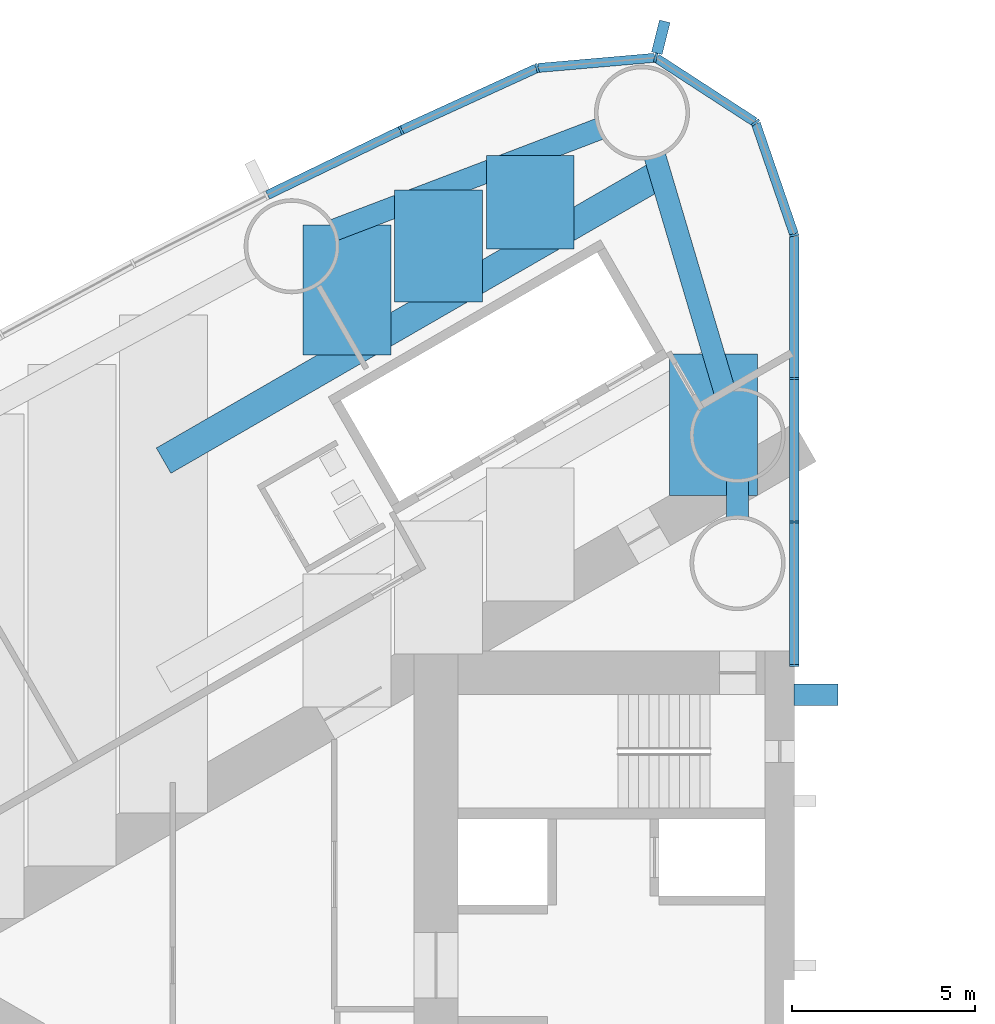
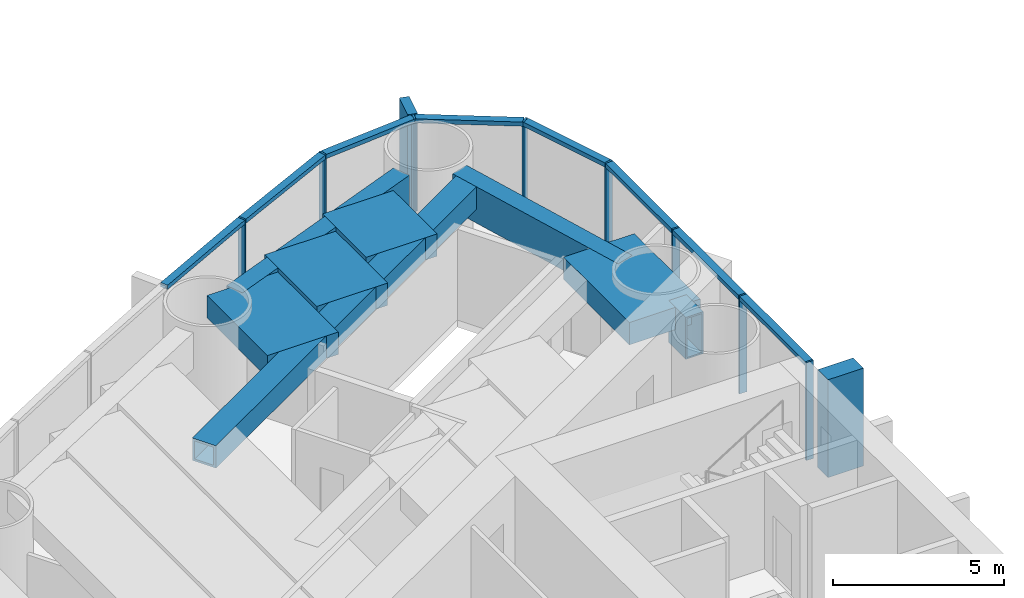
# One storey, part 5 of 18: 18 members, 8 beams, 1 element without a shape of its own.
"""IFC4 building model written with IfcOpenShell, lengths in metres."""

import ifcopenshell
import ifcopenshell.guid

model = None  # the IFC model being written
_history = None  # IfcOwnerHistory: only IFC2X3 demands one
_inside = {}  # id of a spatial element -> (the spatial element, [elements in it])
_under = {}  # id of a project, library or spatial element -> (it, [spatial elements below it])
_declared = {}  # id of a project -> (the project, [libraries it declares])
_typed = {}  # id of a type object -> (the type object, [elements of that type])
_made_of = {}  # id of a material, layer set ... -> (it, [elements and type objects made of it])


def new_model(schema):
    """Start an empty IFC model of exactly this schema.

    Asked for "IFC4X3", IfcOpenShell would pick the latest addendum, in which some entities
    have other attributes; the version numbers below select the first issue.
    IFC2X3 requires an IfcOwnerHistory on every rooted entity: one is made here for all.
    """
    global model, _history
    if schema == "IFC4X3":
        model = ifcopenshell.file(schema_version=(4, 3, 0, 0))
    else:
        model = ifcopenshell.file(schema=schema)
    _inside.clear()
    _under.clear()
    _declared.clear()
    _typed.clear()
    _made_of.clear()
    _history = None
    if model.schema == "IFC2X3":
        org = make("IfcOrganization", Name="unknown")
        user = make(
            "IfcPersonAndOrganization",
            ThePerson=make("IfcPerson", FamilyName="unknown"),
            TheOrganization=org,
        )
        app = make(
            "IfcApplication",
            ApplicationDeveloper=org,
            Version="unknown",
            ApplicationFullName="unknown",
            ApplicationIdentifier="unknown",
        )
        _history = make(
            "IfcOwnerHistory",
            OwningUser=user,
            OwningApplication=app,
            ChangeAction="ADDED",
            CreationDate=0,
        )
    return model


def make(cls, **values):
    """One entity of the class cls with the attributes given. An attribute that is None is left unset."""
    return model.create_entity(
        cls, **{name: value for name, value in values.items() if value is not None}
    )


def rooted(cls, **values):
    """An entity with a GlobalId (a new one), such as an element, a storey or a relation."""
    return make(cls, GlobalId=ifcopenshell.guid.new(), OwnerHistory=_history, **values)


def si_unit(unit_type, name, prefix=None):
    """IfcSIUnit, for example si_unit("LENGTHUNIT", "METRE", prefix="MILLI")."""
    return make("IfcSIUnit", UnitType=unit_type, Prefix=prefix, Name=name)


def assignment(units):
    """IfcUnitAssignment: the units of a project."""
    return None if units is None else make("IfcUnitAssignment", Units=units)


def point(xyz):
    """IfcCartesianPoint."""
    return None if xyz is None else make("IfcCartesianPoint", Coordinates=xyz)


def direction(xyz):
    """IfcDirection."""
    return None if xyz is None else make("IfcDirection", DirectionRatios=xyz)


def frame(location, z_axis=None, x_axis=None):
    """IfcAxis2Placement3D, a coordinate frame: its origin and axes. An axis left out is left unset."""
    return make(
        "IfcAxis2Placement3D",
        Location=point(location),
        Axis=direction(z_axis),
        RefDirection=direction(x_axis),
    )


def frame_2d(location, x_axis=None):
    """IfcAxis2Placement2D, a coordinate frame in the plane: its origin and x axis."""
    return make(
        "IfcAxis2Placement2D", Location=point(location), RefDirection=direction(x_axis)
    )


def origin():
    """The frame at (0, 0, 0) with its axes left unset."""
    return frame((0.0, 0.0, 0.0))


def origin_2d():
    """The frame at (0, 0) in the plane with its x axis left unset."""
    return frame_2d((0.0, 0.0))


def place(relative_to, where):
    """IfcLocalPlacement: puts the frame where relative to a parent placement (None: the world)."""
    return make(
        "IfcLocalPlacement", PlacementRelTo=relative_to, RelativePlacement=where
    )


def context(
    kind, dimensions, precision=None, world=None, true_north=None, identifier=None
):
    """IfcGeometricRepresentationContext, for example the 3D "Model" context."""
    return make(
        "IfcGeometricRepresentationContext",
        ContextIdentifier=identifier,
        ContextType=kind,
        CoordinateSpaceDimension=dimensions,
        Precision=precision,
        WorldCoordinateSystem=world,
        TrueNorth=true_north,
    )


def subcontext(parent, identifier, kind, view, scale=None):
    """IfcGeometricRepresentationSubContext, for example "Body" below "Model"."""
    return make(
        "IfcGeometricRepresentationSubContext",
        ContextIdentifier=identifier,
        ContextType=kind,
        ParentContext=parent,
        TargetScale=scale,
        TargetView=view,
    )


def project(units=None, contexts=None):
    """IfcProject with its units and contexts."""
    return rooted(
        "IfcProject",
        Name="project",
        RepresentationContexts=contexts,
        UnitsInContext=assignment(units),
    )


def spatial(cls, under=None, at=None, **own):
    """A site, building, storey or space (cls), placed at a placement, below another one or the project."""
    s = rooted(cls, ObjectPlacement=at, **own)
    if under is not None:
        _under.setdefault(under.id(), (under, []))[1].append(s)
    return s


def profile(cls, at=None, kind="AREA", **sizes):
    """A parametric profile (cls). Its sizes go by their IFC names, for example OverallWidth=200.0."""
    return make(cls, ProfileType=kind, Position=at, **sizes)


def rectangle(**sizes):
    """IfcRectangleProfileDef."""
    return profile("IfcRectangleProfileDef", **sizes)


def hollow_rectangle(**sizes):
    """IfcRectangleHollowProfileDef."""
    return profile("IfcRectangleHollowProfileDef", **sizes)


def extrude(swept, where, along, depth):
    """IfcExtrudedAreaSolid: the profile swept, set in the frame where, extruded along a direction by depth."""
    return make(
        "IfcExtrudedAreaSolid",
        SweptArea=swept,
        Position=where,
        ExtrudedDirection=direction(along),
        Depth=depth,
    )


def shape(context_of_items, identifier, shape_type, items):
    """IfcShapeRepresentation: the items that make up one representation, for example the "Body"."""
    return make(
        "IfcShapeRepresentation",
        ContextOfItems=context_of_items,
        RepresentationIdentifier=identifier,
        RepresentationType=shape_type,
        Items=items,
    )


def material(Name=None, Category=None):
    """IfcMaterial."""
    return make("IfcMaterial", Name=Name, Category=Category)


def material_profile(
    of_material, cross_section, Name=None, Category=None, Priority=None
):
    """IfcMaterialProfile: a cross section and its material."""
    return make(
        "IfcMaterialProfile",
        Name=Name,
        Material=of_material,
        Profile=cross_section,
        Priority=Priority,
        Category=Category,
    )


def profile_set(profiles, Name=None, composite=None):
    """IfcMaterialProfileSet."""
    return make(
        "IfcMaterialProfileSet",
        Name=Name,
        MaterialProfiles=profiles,
        CompositeProfile=composite,
    )


def made_of(thing, what):
    """Note that an element or type object is made of a material, layer set ...; save() writes the relation."""
    if what is not None:
        _made_of.setdefault(what.id(), (what, []))[1].append(thing)
    return thing


def type_object(cls, material=None, **own):
    """A type object (cls), such as IfcWallType, which elements share."""
    return made_of(rooted(cls, **own), material)


def element(
    cls,
    number,
    at=None,
    inside=None,
    cuts=None,
    type_object=None,
    material=None,
    context=None,
    identifier="Body",
    shape_type=None,
    held_by="IfcProductDefinitionShape",
    body=None,
    shapes=None,
    **own,
):
    """One element of the class cls, such as IfcWall. Its Tag is "e" and its number.

    at: its placement. inside: the storey or other place that contains it. cuts: it is an
    opening in that element (IfcRelVoidsElement). A single representation is given by context,
    identifier, shape_type and body (its items); several are given by shapes. held_by: the class
    of the entity that holds the representations. save() writes the other relations.
    """
    e = rooted(cls, Tag="e%d" % number, ObjectPlacement=at, **own)
    if body is not None:
        shapes = [shape(context, identifier, shape_type, body)]
    if shapes is not None:
        e.Representation = make(held_by, Representations=shapes)
    if inside is not None:
        _inside.setdefault(inside.id(), (inside, []))[1].append(e)
    if cuts is not None:
        rooted(
            "IfcRelVoidsElement", RelatingBuildingElement=cuts, RelatedOpeningElement=e
        )
    if type_object is not None:
        _typed.setdefault(type_object.id(), (type_object, []))[1].append(e)
    return made_of(e, material)


def aggregate(whole, parts):
    """IfcRelAggregates: a whole, such as a stair, and the parts it consists of."""
    return rooted("IfcRelAggregates", RelatingObject=whole, RelatedObjects=parts)


def save(model, path):
    """Write the relations noted so far, then the file.

    IfcRelAggregates (storeys below a building ...), IfcRelContainedInSpatialStructure (elements
    in a storey), IfcRelDefinesByType, IfcRelAssociatesMaterial and IfcRelDeclares: one each for
    every whole, place, type object, material and project.
    """
    for whole, parts in _under.values():
        aggregate(whole, parts)
    for where, things in _inside.values():
        rooted(
            "IfcRelContainedInSpatialStructure",
            RelatedElements=things,
            RelatingStructure=where,
        )
    for kind, things in _typed.values():
        rooted("IfcRelDefinesByType", RelatedObjects=things, RelatingType=kind)
    for what, things in _made_of.values():
        rooted("IfcRelAssociatesMaterial", RelatedObjects=things, RelatingMaterial=what)
    for by, libraries in _declared.values():
        rooted("IfcRelDeclares", RelatingContext=by, RelatedDefinitions=libraries)
    model.write(path)


model = new_model("IFC4")

# Units and contexts
model_context = context("Model", 3, precision=1e-05, world=origin(), true_north=direction((0.0, 1.0)))
body_context = subcontext(model_context, "Body", "Model", "MODEL_VIEW")
ifc_project = project(units=[si_unit("LENGTHUNIT", "METRE"), si_unit("AREAUNIT", "SQUARE_METRE"), si_unit("VOLUMEUNIT", "CUBIC_METRE"), si_unit("PLANEANGLEUNIT", "RADIAN"), si_unit("MASSUNIT", "GRAM", prefix="KILO")], contexts=[model_context])

# Site, building, storey
site_placement = place(None, origin())
site = spatial("IfcSite", under=ifc_project, at=site_placement, CompositionType="ELEMENT")
building_placement = place(site_placement, origin())
building = spatial("IfcBuilding", under=site, at=building_placement, Name="Lancet Gate Hotel", CompositionType="ELEMENT")
storey_placement = place(building_placement, frame((0.0, 0.0, 139.60009765625)))
storey = spatial("IfcBuildingStorey", under=building, at=storey_placement, Name="L37", CompositionType="ELEMENT", Elevation=139.60009765625)

# Curtain wall, members
ifc_material_1 = material(Name="Aluminium curtain wall", Category="aluminium")
curtain_wall_type = type_object("IfcCurtainWallType", Name="Tower unitised curtain wall", PredefinedType="USERDEFINED", material=ifc_material_1)
curtain_wall_placement = place(storey_placement, origin())
curtain_wall = element("IfcCurtainWall", 1, at=curtain_wall_placement, inside=storey, type_object=curtain_wall_type, Name="T1 L37 curtain wall 1", ObjectType="UNITISED CURTAIN WALL", PredefinedType="USERDEFINED")
ifc_material_2 = material(Name="Aluminium mullion", Category="aluminium")
ifc_material_profile_1 = material_profile(ifc_material_2, rectangle(XDim=0.06494140625, YDim=0.25, at=origin_2d()), Name="MULLION 65x250")
ifc_profile_set_1 = profile_set([ifc_material_profile_1], Name="Aluminium mullion")
member_type_1 = type_object("IfcMemberType", Name="Aluminium mullion 65x250", PredefinedType="MULLION", material=ifc_profile_set_1)
member_1_placement = place(storey_placement, frame((-27.5, 8.199951171875, 0.0), z_axis=(0.0, 0.0, 1.0), x_axis=(0.0, 1.0, 0.0)))
member_1 = element("IfcMember", 2, at=member_1_placement, type_object=member_type_1, Name="T1 L37 curtain wall 1 mullion 1", PredefinedType="MULLION", context=body_context, shape_type="SweptSolid", body=[
    extrude(rectangle(XDim=0.06494140625, YDim=0.25, at=origin_2d()), origin(), (0.0, 0.0, 1.0), 3.5),
])
member_2_placement = place(storey_placement, frame((-27.5, 12.123779296875, 0.0), z_axis=(0.0, 0.0, 1.0), x_axis=(0.0, 1.0, 0.0)))
member_2 = element("IfcMember", 3, at=member_2_placement, type_object=member_type_1, Name="T1 L37 curtain wall 1 mullion 2", PredefinedType="MULLION", context=body_context, shape_type="SweptSolid", body=[
    extrude(rectangle(XDim=0.06494140625, YDim=0.25, at=origin_2d()), origin(), (0.0, 0.0, 1.0), 3.5),
])
member_3_placement = place(storey_placement, frame((-27.5, 16.04736328125, 0.0), z_axis=(0.0, 0.0, 1.0), x_axis=(0.0, 1.0, 0.0)))
member_3 = element("IfcMember", 4, at=member_3_placement, type_object=member_type_1, Name="T1 L37 curtain wall 1 mullion 3", PredefinedType="MULLION", context=body_context, shape_type="SweptSolid", body=[
    extrude(rectangle(XDim=0.06494140625, YDim=0.25, at=origin_2d()), origin(), (0.0, 0.0, 1.0), 3.5),
])
member_4_placement = place(storey_placement, frame((-27.5, 19.97119140625, 0.0), z_axis=(0.0, 0.0, 1.0), x_axis=(-0.149634446211, 0.988741388082, 0.0)))
member_4 = element("IfcMember", 5, at=member_4_placement, type_object=member_type_1, Name="T1 L37 curtain wall 1 mullion 4", PredefinedType="MULLION", context=body_context, shape_type="SweptSolid", body=[
    extrude(rectangle(XDim=0.06494140625, YDim=0.25, at=origin_2d()), origin(), (0.0, 0.0, 1.0), 3.5),
])
member_5_placement = place(storey_placement, frame((-28.5595703125, 23.049072265625, 0.0), z_axis=(0.0, 0.0, 1.0), x_axis=(-0.615574240878, 0.788078900851, 0.0)))
member_5 = element("IfcMember", 6, at=member_5_placement, type_object=member_type_1, Name="T1 L37 curtain wall 1 mullion 5", PredefinedType="MULLION", context=body_context, shape_type="SweptSolid", body=[
    extrude(rectangle(XDim=0.06494140625, YDim=0.25, at=origin_2d()), origin(), (0.0, 0.0, 1.0), 3.5),
])
member_6_placement = place(storey_placement, frame((-31.289306640625, 24.822265625, 0.0), z_axis=(0.0, 0.0, 1.0), x_axis=(-0.970242142288, 0.242136707934, 0.0)))
member_6 = element("IfcMember", 7, at=member_6_placement, type_object=member_type_1, Name="T1 L37 curtain wall 1 mullion 6", PredefinedType="MULLION", context=body_context, shape_type="SweptSolid", body=[
    extrude(rectangle(XDim=0.06494140625, YDim=0.25, at=origin_2d()), origin(), (0.0, 0.0, 1.0), 3.5),
])
member_7_placement = place(storey_placement, frame((-34.5322265625, 24.53955078125, 0.0), z_axis=(0.0, 0.0, 1.0), x_axis=(-0.961653318232, -0.27426792655, 0.0)))
member_7 = element("IfcMember", 8, at=member_7_placement, type_object=member_type_1, Name="T1 L37 curtain wall 1 mullion 7", PredefinedType="MULLION", context=body_context, shape_type="SweptSolid", body=[
    extrude(rectangle(XDim=0.06494140625, YDim=0.25, at=origin_2d()), origin(), (0.0, 0.0, 1.0), 3.5),
])
member_8_placement = place(storey_placement, frame((-38.25244140625, 22.83642578125, 0.0), z_axis=(0.0, 0.0, 1.0), x_axis=(-0.904719609771, -0.426007544178, 0.0)))
member_8 = element("IfcMember", 9, at=member_8_placement, type_object=member_type_1, Name="T1 L37 curtain wall 1 mullion 8", PredefinedType="MULLION", context=body_context, shape_type="SweptSolid", body=[
    extrude(rectangle(XDim=0.06494140625, YDim=0.25, at=origin_2d()), origin(), (0.0, 0.0, 1.0), 3.5),
])
ifc_material_3 = material(Name="Aluminium transom", Category="aluminium")
ifc_material_profile_2 = material_profile(ifc_material_3, rectangle(XDim=0.25, YDim=0.14990234375, at=origin_2d()), Name="TRANSOM 250x150")
ifc_profile_set_2 = profile_set([ifc_material_profile_2], Name="Aluminium transom")
member_type_2 = type_object("IfcMemberType", Name="Aluminium transom 250x150", PredefinedType="USERDEFINED", material=ifc_profile_set_2)
member_9_placement = place(storey_placement, frame((-27.5, 8.232421875, 3.4248046875), z_axis=(0.0, 1.0, 0.0), x_axis=(-1.0, 0.0, 0.0)))
member_9 = element("IfcMember", 10, at=member_9_placement, type_object=member_type_2, Name="T1 L37 curtain wall 1 transom 1", ObjectType="TRANSOM", PredefinedType="USERDEFINED", context=body_context, shape_type="SweptSolid", body=[
    extrude(rectangle(XDim=0.25, YDim=0.14990234375, at=origin_2d()), origin(), (0.0, 0.0, 1.0), 3.85888671875),
])
member_10_placement = place(storey_placement, frame((-27.5, 12.15625, 3.4248046875), z_axis=(0.0, 1.0, 0.0), x_axis=(-1.0, 0.0, 0.0)))
member_10 = element("IfcMember", 11, at=member_10_placement, type_object=member_type_2, Name="T1 L37 curtain wall 1 transom 2", ObjectType="TRANSOM", PredefinedType="USERDEFINED", context=body_context, shape_type="SweptSolid", body=[
    extrude(rectangle(XDim=0.25, YDim=0.14990234375, at=origin_2d()), origin(), (0.0, 0.0, 1.0), 3.858642578125),
])
member_11_placement = place(storey_placement, frame((-27.5, 16.079833984375, 3.4248046875), z_axis=(0.0, 1.0, 0.0), x_axis=(-1.0, 0.0, 0.0)))
member_11 = element("IfcMember", 12, at=member_11_placement, type_object=member_type_2, Name="T1 L37 curtain wall 1 transom 3", ObjectType="TRANSOM", PredefinedType="USERDEFINED", context=body_context, shape_type="SweptSolid", body=[
    extrude(rectangle(XDim=0.25, YDim=0.14990234375, at=origin_2d()), origin(), (0.0, 0.0, 1.0), 3.858642578125),
])
member_12_placement = place(storey_placement, frame((-27.510498046875, 20.001708984375, 3.4248046875), z_axis=(-0.32553312754, 0.945530635609, 0.0), x_axis=(-0.945530635609, -0.32553312754, 0.0)))
member_12 = element("IfcMember", 13, at=member_12_placement, type_object=member_type_2, Name="T1 L37 curtain wall 1 transom 4", ObjectType="TRANSOM", PredefinedType="USERDEFINED", context=body_context, shape_type="SweptSolid", body=[
    extrude(rectangle(XDim=0.25, YDim=0.14990234375, at=origin_2d()), origin(), (0.0, 0.0, 1.0), 3.1904296875),
])
member_13_placement = place(storey_placement, frame((-28.5869140625, 23.066650390625, 3.4248046875), z_axis=(-0.838550259452, 0.544824249068, 0.0), x_axis=(-0.544824249068, -0.838550259452, 0.0)))
member_13 = element("IfcMember", 14, at=member_13_placement, type_object=member_type_2, Name="T1 L37 curtain wall 1 transom 5", ObjectType="TRANSOM", PredefinedType="USERDEFINED", context=body_context, shape_type="SweptSolid", body=[
    extrude(rectangle(XDim=0.25, YDim=0.14990234375, at=origin_2d()), origin(), (0.0, 0.0, 1.0), 3.190185546875),
])
member_14_placement = place(storey_placement, frame((-31.32177734375, 24.819580078125, 3.4248046875), z_axis=(-0.996213545522, -0.086940046686, 0.0), x_axis=(0.086940046686, -0.996213545522, 0.0)))
member_14 = element("IfcMember", 15, at=member_14_placement, type_object=member_type_2, Name="T1 L37 curtain wall 1 transom 6", ObjectType="TRANSOM", PredefinedType="USERDEFINED", context=body_context, shape_type="SweptSolid", body=[
    extrude(rectangle(XDim=0.25, YDim=0.14990234375, at=origin_2d()), origin(), (0.0, 0.0, 1.0), 3.18994140625),
])
member_15_placement = place(storey_placement, frame((-34.561767578125, 24.52587890625, 3.4248046875), z_axis=(-0.909252284196, -0.416245460857, 0.0), x_axis=(0.416245460857, -0.909252284196, 0.0)))
member_15 = element("IfcMember", 16, at=member_15_placement, type_object=member_type_2, Name="T1 L37 curtain wall 1 transom 7", ObjectType="TRANSOM", PredefinedType="USERDEFINED", context=body_context, shape_type="SweptSolid", body=[
    extrude(rectangle(XDim=0.25, YDim=0.14990234375, at=origin_2d()), origin(), (0.0, 0.0, 1.0), 4.026611328125),
])
member_16_placement = place(storey_placement, frame((-38.28173828125, 22.822265625, 3.4248046875), z_axis=(-0.900065677074, -0.435754262117, 0.0), x_axis=(0.435754262117, -0.900065677074, 0.0)))
member_16 = element("IfcMember", 17, at=member_16_placement, type_object=member_type_2, Name="T1 L37 curtain wall 1 transom 8", ObjectType="TRANSOM", PredefinedType="USERDEFINED", context=body_context, shape_type="SweptSolid", body=[
    extrude(rectangle(XDim=0.25, YDim=0.14990234375, at=origin_2d()), origin(), (0.0, 0.0, 1.0), 4.026611328125),
])

# Beams
ifc_material_4 = material(Name="Steel S460QL", Category="steel")
ifc_material_profile_3 = material_profile(ifc_material_4, hollow_rectangle(XDim=0.60009765625, YDim=1.300048828125, WallThickness=0.050048828125, at=origin_2d()), Name="BOX 1300x600x50")
ifc_profile_set_3 = profile_set([ifc_material_profile_3], Name="Steel S460QL")
beam_type_1 = type_object("IfcBeamType", Name="Edge beam BOX 1300x600x50", PredefinedType="SPANDREL", material=ifc_profile_set_3)
beam_1_placement = place(storey_placement, frame((-32.83251953125, 22.873046875, 2.599853515625), z_axis=(-0.934393420169, -0.356242805324, 0.0), x_axis=(0.356242805324, -0.934393420169, 0.0)))
element("IfcBeam", 18, at=beam_1_placement, inside=storey, type_object=beam_type_1, Name="T1 edge beam EB2 L37", PredefinedType="SPANDREL", context=body_context, shape_type="SweptSolid", body=[
    extrude(hollow_rectangle(XDim=0.60009765625, YDim=1.300048828125, WallThickness=0.050048828125, at=origin_2d()), origin(), (0.0, 0.0, 1.0), 7.7529296875),
])
beam_2_placement = place(storey_placement, frame((-31.309326171875, 22.119873046875, 2.599853515625), z_axis=(0.284283174747, -0.958740359303, 0.0), x_axis=(0.958740359303, 0.284283174747, 0.0)))
element("IfcBeam", 19, at=beam_2_placement, inside=storey, type_object=beam_type_1, Name="T1 edge beam EB2 L37", PredefinedType="SPANDREL", context=body_context, shape_type="SweptSolid", body=[
    extrude(hollow_rectangle(XDim=0.60009765625, YDim=1.300048828125, WallThickness=0.050048828125, at=origin_2d()), origin(), (0.0, 0.0, 1.0), 6.69775390625),
])

# Member
ifc_material_5 = material(Name="Concrete C60/75", Category="concrete")
ifc_material_profile_4 = material_profile(ifc_material_5, rectangle(XDim=0.60009765625, YDim=1.199951171875, at=origin_2d()), Name="FIN 600x1200")
ifc_profile_set_4 = profile_set([ifc_material_profile_4], Name="Concrete C60/75")
member_type_3 = type_object("IfcMemberType", Name="Exposed concrete buttress pilaster 600x1200", PredefinedType="USERDEFINED", material=ifc_profile_set_4)
member_17_placement = place(storey_placement, frame((-26.909912109375, 7.39990234375, 0.0), z_axis=(0.0, 0.0, 1.0), x_axis=(0.0, 1.0, 0.0)))
element("IfcMember", 20, at=member_17_placement, inside=storey, type_object=member_type_3, Name="T1 buttress pilaster S L37", ObjectType="FIN", PredefinedType="USERDEFINED", context=body_context, shape_type="SweptSolid", body=[
    extrude(rectangle(XDim=0.60009765625, YDim=1.199951171875, at=origin_2d()), origin(), (0.0, 0.0, 1.0), 3.5),
])

ifc_material_6 = material(Name="Precast concrete C50/60", Category="concrete")
ifc_material_profile_5 = material_profile(ifc_material_6, rectangle(XDim=0.300048828125, YDim=0.89990234375, at=origin_2d()), Name="FIN 300x900")
ifc_profile_set_5 = profile_set([ifc_material_profile_5], Name="Precast concrete C50/60")
member_type_4 = type_object("IfcMemberType", Name="Exposed concrete fin 300x900", PredefinedType="USERDEFINED", material=ifc_profile_set_5)
member_18_placement = place(storey_placement, frame((-31.150146484375, 25.380126953125, 0.0), z_axis=(0.0, 0.0, 1.0), x_axis=(-0.970242142288, 0.242136707934, 0.0)))
member_18 = element("IfcMember", 21, at=member_18_placement, type_object=member_type_4, Name="T1 L37 curtain wall 1 fin 6", ObjectType="FIN", PredefinedType="USERDEFINED", context=body_context, shape_type="SweptSolid", body=[
    extrude(rectangle(XDim=0.300048828125, YDim=0.89990234375, at=origin_2d()), origin(), (0.0, 0.0, 1.0), 3.5),
])

aggregate(curtain_wall, [member_1, member_2, member_3, member_4, member_5, member_6, member_18, member_7, member_8, member_9, member_10, member_11, member_12, member_13, member_14, member_15, member_16])

# Beams
ifc_material_7 = material(Name="Concrete C50/60", Category="concrete")
ifc_material_profile_6 = material_profile(ifc_material_7, rectangle(XDim=2.39990234375, YDim=0.800048828125, at=origin_2d()), Name="RC 2400x800")
ifc_profile_set_6 = profile_set([ifc_material_profile_6], Name="Concrete C50/60")
beam_type_2 = type_object("IfcBeamType", Name="Floor beam RC 2400x800", PredefinedType="BEAM", material=ifc_profile_set_6)
beam_3_placement = place(storey_placement, frame((-29.706787109375, 16.71533203125, 2.849853515625), z_axis=(0.0, -1.0, 0.0), x_axis=(1.0, 0.0, 0.0)))
element("IfcBeam", 22, at=beam_3_placement, inside=storey, type_object=beam_type_2, Name="T1 floor beam F02S L37", PredefinedType="BEAM", context=body_context, shape_type="SweptSolid", body=[
    extrude(rectangle(XDim=2.39990234375, YDim=0.800048828125, at=origin_2d()), origin(), (0.0, 0.0, 1.0), 3.86279296875),
])
beam_4_placement = place(storey_placement, frame((-34.720458984375, 22.1533203125, 2.849853515625), z_axis=(0.0, -1.0, 0.0), x_axis=(1.0, 0.0, 0.0)))
element("IfcBeam", 23, at=beam_4_placement, inside=storey, type_object=beam_type_2, Name="T1 floor beam F04SA L37", PredefinedType="BEAM", context=body_context, shape_type="SweptSolid", body=[
    extrude(rectangle(XDim=2.39990234375, YDim=0.800048828125, at=origin_2d()), origin(), (0.0, 0.0, 1.0), 2.561767578125),
])
beam_5_placement = place(storey_placement, frame((-37.227294921875, 21.197509765625, 2.849853515625), z_axis=(0.0, -1.0, 0.0), x_axis=(1.0, 0.0, 0.0)))
element("IfcBeam", 24, at=beam_5_placement, inside=storey, type_object=beam_type_2, Name="T1 floor beam F05SA L37", PredefinedType="BEAM", context=body_context, shape_type="SweptSolid", body=[
    extrude(rectangle(XDim=2.39990234375, YDim=0.800048828125, at=origin_2d()), origin(), (0.0, 0.0, 1.0), 3.053466796875),
])
beam_6_placement = place(storey_placement, frame((-39.734130859375, 20.24169921875, 2.849853515625), z_axis=(0.0, -1.0, 0.0), x_axis=(1.0, 0.0, 0.0)))
element("IfcBeam", 25, at=beam_6_placement, inside=storey, type_object=beam_type_2, Name="T1 floor beam F07SA L37", PredefinedType="BEAM", context=body_context, shape_type="SweptSolid", body=[
    extrude(rectangle(XDim=2.39990234375, YDim=0.800048828125, at=origin_2d()), origin(), (0.0, 0.0, 1.0), 3.545166015625),
])
ifc_material_8 = material(Name="Steel S460QL", Category="steel")
ifc_material_profile_7 = material_profile(ifc_material_8, hollow_rectangle(XDim=0.60009765625, YDim=1.5, WallThickness=0.050048828125, at=origin_2d()), Name="BOX 1500x600x50")
ifc_profile_set_7 = profile_set([ifc_material_profile_7], Name="Steel S460QL")
beam_type_3 = type_object("IfcBeamType", Name="Inner-face link beam BOX 1500x600x50", PredefinedType="BEAM", material=ifc_profile_set_7)
beam_7_placement = place(storey_placement, frame((-29.050048828125, 13.25, 2.5), z_axis=(0.0, -1.0, 0.0), x_axis=(1.0, 0.0, 0.0)))
element("IfcBeam", 26, at=beam_7_placement, inside=storey, type_object=beam_type_3, Name="T1 inner-face link beam LK1 L37", PredefinedType="BEAM", context=body_context, shape_type="SweptSolid", body=[
    extrude(hollow_rectangle(XDim=0.60009765625, YDim=1.5, WallThickness=0.050048828125, at=origin_2d()), origin(), (0.0, 0.0, 1.0), 1.0),
])
ifc_material_9 = material(Name="Steel S460QL", Category="steel")
ifc_material_profile_8 = material_profile(ifc_material_9, hollow_rectangle(XDim=0.800048828125, YDim=0.800048828125, WallThickness=0.080078125, at=origin_2d()), Name="BOX 800x800x80")
ifc_profile_set_8 = profile_set([ifc_material_profile_8], Name="Steel S460QL")
beam_type_4 = type_object("IfcBeamType", Name="Trimmer beam BOX 800x800x80", PredefinedType="BEAM", material=ifc_profile_set_8)
beam_8_placement = place(storey_placement, frame((-31.16796875, 21.642822265625, 2.849853515625), z_axis=(-0.866004868127, -0.500035567115, 0.0), x_axis=(0.500035567115, -0.866004868127, 0.0)))
element("IfcBeam", 27, at=beam_8_placement, inside=storey, type_object=beam_type_4, Name="T1 trimmer beam TR04S L37", PredefinedType="BEAM", context=body_context, shape_type="SweptSolid", body=[
    extrude(hollow_rectangle(XDim=0.800048828125, YDim=0.800048828125, WallThickness=0.080078125, at=origin_2d()), origin(), (0.0, 0.0, 1.0), 15.680908203125),
])

save(model, "model.ifc")
